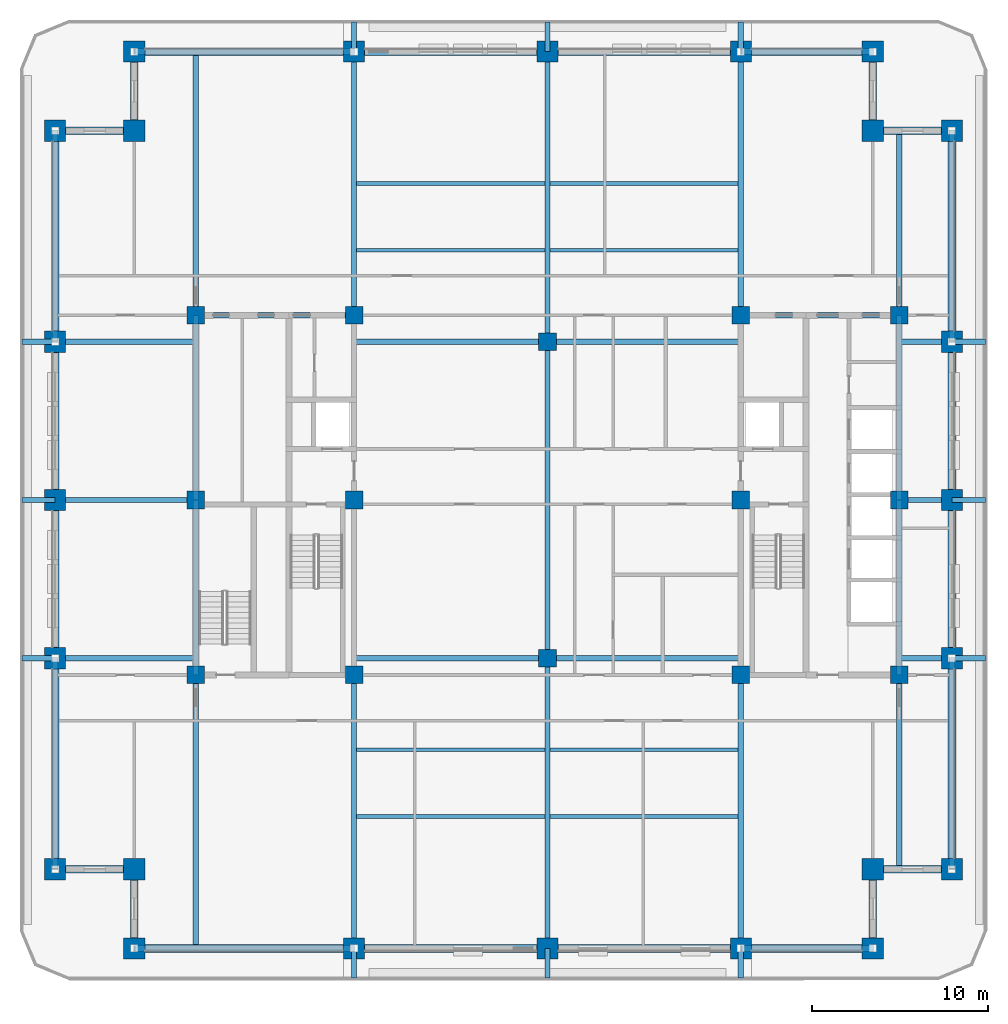
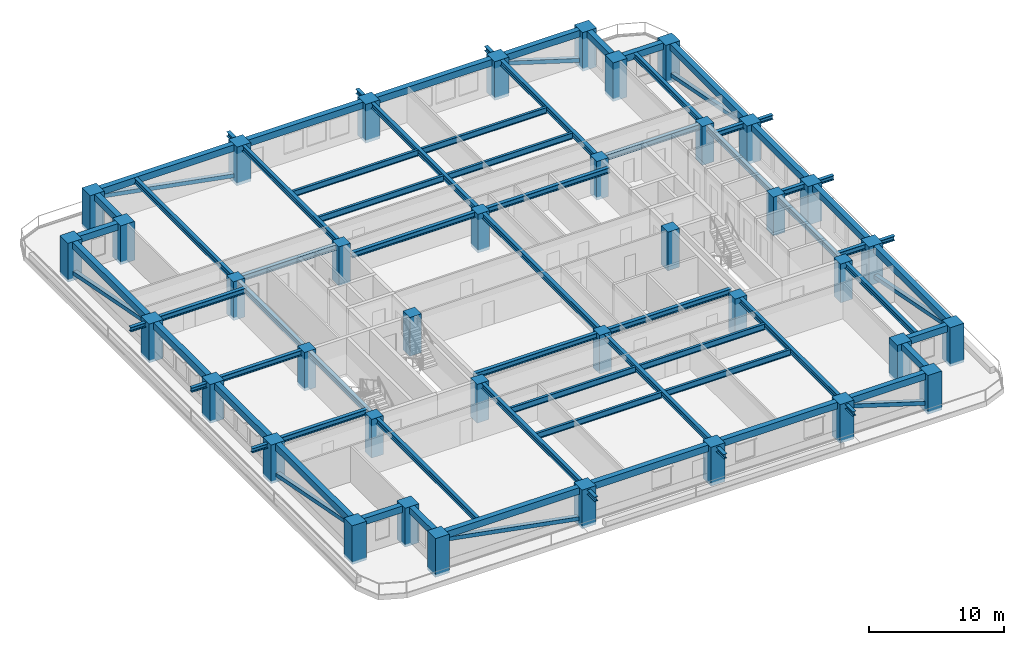
# One storey, part 1 of 15: 71 beams, 38 columns, 8 members.
"""IFC4 building model written with IfcOpenShell, lengths in metres."""

from ifc_helpers import new_model, si_unit, direction, frame, origin, origin_2d, place, context, subcontext, project, spatial, rectangle, hollow_rectangle, i_section, extrude, material, material_profile, profile_set, type_object, element, save


model = new_model("IFC4")

# Units and contexts
model_context = context("Model", 3, precision=1e-05, world=origin(), true_north=direction((0.0, 1.0)))
body_context = subcontext(model_context, "Body", "Model", "MODEL_VIEW")
ifc_project = project(units=[si_unit("LENGTHUNIT", "METRE"), si_unit("AREAUNIT", "SQUARE_METRE"), si_unit("VOLUMEUNIT", "CUBIC_METRE"), si_unit("PLANEANGLEUNIT", "RADIAN"), si_unit("MASSUNIT", "GRAM", prefix="KILO")], contexts=[model_context])

# Site, building, storey
site_placement = place(None, origin())
site = spatial("IfcSite", under=ifc_project, at=site_placement, CompositionType="ELEMENT")
building_placement = place(site_placement, origin())
building = spatial("IfcBuilding", under=site, at=building_placement, Name="Zulmaris Gate Convention Tower", CompositionType="ELEMENT")
storey_placement = place(building_placement, frame((0.0, 0.0, 139.199951171875)))
storey = spatial("IfcBuildingStorey", under=building, at=storey_placement, Name="L35", CompositionType="ELEMENT", Elevation=139.199951171875)

# Columns
ifc_material_1 = material(Name="Concrete C60/75", Category="concrete")
ifc_material_profile_1 = material_profile(ifc_material_1, rectangle(XDim=1.0, YDim=1.0, at=origin_2d()), Name="RC COL 1000x1000")
ifc_profile_set_1 = profile_set([ifc_material_profile_1], Name="Concrete C60/75")
column_type_1 = type_object("IfcColumnType", Name="COL-RC1000", PredefinedType="COLUMN", material=ifc_profile_set_1)
for number, where, z_axis, x_axis, name in (
    (1, (-20.0, -9.949951171875, -0.25), (0.0, 0.0, 1.0), (1.0, 0.0, 0.0), "L35 Column IN--20.00_-9.95"),
    (2, (-20.0, 10.5, -0.25), (0.0, 0.0, 1.0), (1.0, 0.0, 0.0), "L35 Column IN--20.00_+10.50"),
    (3, (-11.0, -9.949951171875, -0.25), (0.0, 0.0, 1.0), (1.0, 0.0, 0.0), "L35 Column IN--11.00_-9.95"),
    (4, (-11.0, 0.0, -0.25), (0.0, 0.0, 1.0), (1.0, 0.0, 0.0), "L35 Column IN--11.00_+0.00"),
    (5, (-11.0, 10.5, -0.25), (0.0, 0.0, 1.0), (1.0, 0.0, 0.0), "L35 Column IN--11.00_+10.50"),
    (6, (11.0, -9.949951171875, -0.25), (0.0, 0.0, 1.0), (1.0, 0.0, 0.0), "L35 Column IN-+11.00_-9.95"),
    (7, (11.0, 0.0, -0.25), (0.0, 0.0, 1.0), (1.0, 0.0, 0.0), "L35 Column IN-+11.00_+0.00"),
    (8, (11.0, 10.5, -0.25), (0.0, 0.0, 1.0), (1.0, 0.0, 0.0), "L35 Column IN-+11.00_+10.50"),
    (9, (20.0, -9.949951171875, -0.25), (0.0, 0.0, 1.0), (1.0, 0.0, 0.0), "L35 Column IN-+20.00_-9.95"),
    (10, (20.0, 10.5, -0.25), (0.0, 0.0, 1.0), (1.0, 0.0, 0.0), "L35 Column IN-+20.00_+10.50"),
    (11, (0.0, -9.0, -0.25), (0.0, 0.0, 1.0), (1.0, 0.0, 0.0), "L35 Column IN-+0.00_-9.00"),
    (12, (0.0, 9.0, -0.25), (0.0, 0.0, 1.0), (1.0, 0.0, 0.0), "L35 Column IN-+0.00_+9.00"),
    (13, (-20.0, 0.0, -0.25), (0.0, 0.0, 1.0), (1.0, 0.0, 0.0), "L35 Column IN--20.00_+0.00"),
    (14, (20.0, 0.0, -0.25), (0.0, 0.0, 1.0), (1.0, 0.0, 0.0), "L35 Column IN-+20.00_+0.00"),
):
    element("IfcColumn", number, at=place(storey_placement, frame(where, z_axis=z_axis, x_axis=x_axis)), inside=storey, type_object=column_type_1, Name=name, PredefinedType="COLUMN", context=body_context, shape_type="SweptSolid", body=[
        extrude(rectangle(XDim=1.0, YDim=1.0, at=origin_2d()), origin(), (0.0, 0.0, 1.0), 3.494873046875),
    ])
ifc_material_2 = material(Name="Concrete C70/85", Category="concrete")
ifc_material_profile_2 = material_profile(ifc_material_2, rectangle(XDim=1.199951171875, YDim=1.199951171875, at=origin_2d()), Name="RC COL 1200x1200")
ifc_profile_set_2 = profile_set([ifc_material_profile_2], Name="Concrete C70/85")
column_type_2 = type_object("IfcColumnType", Name="COL-RC1200", PredefinedType="COLUMN", material=ifc_profile_set_2)
for number, where, z_axis, x_axis, name in (
    (15, (-23.5, -25.5, -0.25), (0.0, 0.0, 1.0), (1.0, 0.0, 0.0), "L35 Column PT--23.50_-25.50"),
    (16, (-11.0, -25.5, -0.25), (0.0, 0.0, 1.0), (1.0, 0.0, 0.0), "L35 Column PT--11.00_-25.50"),
    (17, (0.0, -25.5, -0.25), (0.0, 0.0, 1.0), (1.0, 0.0, 0.0), "L35 Column PT-+0.00_-25.50"),
    (18, (11.0, -25.5, -0.25), (0.0, 0.0, 1.0), (1.0, 0.0, 0.0), "L35 Column PT-+11.00_-25.50"),
    (19, (18.5, -25.5, -0.25), (0.0, 0.0, 1.0), (1.0, 0.0, 0.0), "L35 Column PT-+18.50_-25.50"),
    (20, (-23.5, 25.5, -0.25), (0.0, 0.0, 1.0), (1.0, 0.0, 0.0), "L35 Column PT--23.50_+25.50"),
    (21, (-11.0, 25.5, -0.25), (0.0, 0.0, 1.0), (1.0, 0.0, 0.0), "L35 Column PT--11.00_+25.50"),
    (22, (0.0, 25.5, -0.25), (0.0, 0.0, 1.0), (1.0, 0.0, 0.0), "L35 Column PT-+0.00_+25.50"),
    (23, (11.0, 25.5, -0.25), (0.0, 0.0, 1.0), (1.0, 0.0, 0.0), "L35 Column PT-+11.00_+25.50"),
    (24, (18.5, 25.5, -0.25), (0.0, 0.0, 1.0), (1.0, 0.0, 0.0), "L35 Column PT-+18.50_+25.50"),
    (25, (-28.0, -21.0, -0.25), (0.0, 0.0, 1.0), (1.0, 0.0, 0.0), "L35 Column PT--28.00_-21.00"),
    (26, (-28.0, -9.0, -0.25), (0.0, 0.0, 1.0), (1.0, 0.0, 0.0), "L35 Column PT--28.00_-9.00"),
    (27, (-28.0, 0.0, -0.25), (0.0, 0.0, 1.0), (1.0, 0.0, 0.0), "L35 Column PT--28.00_+0.00"),
    (28, (-28.0, 9.0, -0.25), (0.0, 0.0, 1.0), (1.0, 0.0, 0.0), "L35 Column PT--28.00_+9.00"),
    (29, (-28.0, 21.0, -0.25), (0.0, 0.0, 1.0), (1.0, 0.0, 0.0), "L35 Column PT--28.00_+21.00"),
    (30, (23.0, -21.0, -0.25), (0.0, 0.0, 1.0), (1.0, 0.0, 0.0), "L35 Column PT-+23.00_-21.00"),
    (31, (23.0, -9.0, -0.25), (0.0, 0.0, 1.0), (1.0, 0.0, 0.0), "L35 Column PT-+23.00_-9.00"),
    (32, (23.0, 0.0, -0.25), (0.0, 0.0, 1.0), (1.0, 0.0, 0.0), "L35 Column PT-+23.00_+0.00"),
    (33, (23.0, 9.0, -0.25), (0.0, 0.0, 1.0), (1.0, 0.0, 0.0), "L35 Column PT-+23.00_+9.00"),
    (34, (23.0, 21.0, -0.25), (0.0, 0.0, 1.0), (1.0, 0.0, 0.0), "L35 Column PT-+23.00_+21.00"),
    (35, (-23.5, -21.0, -0.25), (0.0, 0.0, 1.0), (1.0, 0.0, 0.0), "L35 Column PT--23.50_-21.00"),
    (36, (18.5, -21.0, -0.25), (0.0, 0.0, 1.0), (1.0, 0.0, 0.0), "L35 Column PT-+18.50_-21.00"),
    (37, (18.5, 21.0, -0.25), (0.0, 0.0, 1.0), (1.0, 0.0, 0.0), "L35 Column PT-+18.50_+21.00"),
    (38, (-23.5, 21.0, -0.25), (0.0, 0.0, 1.0), (1.0, 0.0, 0.0), "L35 Column PT--23.50_+21.00"),
):
    element("IfcColumn", number, at=place(storey_placement, frame(where, z_axis=z_axis, x_axis=x_axis)), inside=storey, type_object=column_type_2, Name=name, PredefinedType="COLUMN", context=body_context, shape_type="SweptSolid", body=[
        extrude(rectangle(XDim=1.199951171875, YDim=1.199951171875, at=origin_2d()), origin(), (0.0, 0.0, 1.0), 3.494873046875),
    ])

# Beams
ifc_material_3 = material(Name="Steel S355", Category="steel")
ifc_material_profile_3 = material_profile(ifc_material_3, i_section(OverallWidth=0.300048828125, OverallDepth=0.39990234375, WebThickness=0.013427734375, FlangeThickness=0.02392578125, FilletRadius=0.027099609375, at=origin_2d()), Name="HEB 400")
ifc_profile_set_3 = profile_set([ifc_material_profile_3], Name="Steel S355")
beam_type_1 = type_object("IfcBeamType", Name="BM-HEB400", PredefinedType="BEAM", material=ifc_profile_set_3)
for number, where, z_axis, x_axis, name in (
    (39, (-11.0, -27.199951171875, 2.90478515625), (0.0, 1.0, 0.0), (-1.0, 0.0, 0.0), "L35 Beam TBRK-L35-S--11"),
    (40, (-11.0, 25.5, 2.90478515625), (0.0, 1.0, 0.0), (-1.0, 0.0, 0.0), "L35 Beam TBRK-L35-N--11"),
    (41, (0.0, -27.199951171875, 2.90478515625), (0.0, 1.0, 0.0), (-1.0, 0.0, 0.0), "L35 Beam TBRK-L35-S-+0"),
    (42, (0.0, 25.5, 2.90478515625), (0.0, 1.0, 0.0), (-1.0, 0.0, 0.0), "L35 Beam TBRK-L35-N-+0"),
    (43, (11.0, -27.199951171875, 2.90478515625), (0.0, 1.0, 0.0), (-1.0, 0.0, 0.0), "L35 Beam TBRK-L35-S-+11"),
    (44, (11.0, 25.5, 2.90478515625), (0.0, 1.0, 0.0), (-1.0, 0.0, 0.0), "L35 Beam TBRK-L35-N-+11"),
):
    element("IfcBeam", number, at=place(storey_placement, frame(where, z_axis=z_axis, x_axis=x_axis)), inside=storey, type_object=beam_type_1, Name=name, PredefinedType="BEAM", context=body_context, shape_type="SweptSolid", body=[
        extrude(i_section(OverallWidth=0.300048828125, OverallDepth=0.39990234375, WebThickness=0.013427734375, FlangeThickness=0.02392578125, FilletRadius=0.027099609375, at=origin_2d()), origin(), (0.0, 0.0, 1.0), 1.699951171875),
    ])
for number, where, z_axis, x_axis, name in (
    (45, (-29.89990234375, -9.0, 2.90478515625), (1.0, 0.0, 0.0), (0.0, 1.0, 0.0), "L35 Beam TBRK-L35-W--9"),
    (46, (23.0, -9.0, 2.90478515625), (1.0, 0.0, 0.0), (0.0, 1.0, 0.0), "L35 Beam TBRK-L35-E--9"),
    (47, (-29.89990234375, 0.0, 2.90478515625), (1.0, 0.0, 0.0), (0.0, 1.0, 0.0), "L35 Beam TBRK-L35-W-+0"),
    (48, (23.0, 0.0, 2.90478515625), (1.0, 0.0, 0.0), (0.0, 1.0, 0.0), "L35 Beam TBRK-L35-E-+0"),
    (49, (-29.89990234375, 9.0, 2.90478515625), (1.0, 0.0, 0.0), (0.0, 1.0, 0.0), "L35 Beam TBRK-L35-W-+9"),
    (50, (23.0, 9.0, 2.90478515625), (1.0, 0.0, 0.0), (0.0, 1.0, 0.0), "L35 Beam TBRK-L35-E-+9"),
):
    element("IfcBeam", number, at=place(storey_placement, frame(where, z_axis=z_axis, x_axis=x_axis)), inside=storey, type_object=beam_type_1, Name=name, PredefinedType="BEAM", context=body_context, shape_type="SweptSolid", body=[
        extrude(i_section(OverallWidth=0.300048828125, OverallDepth=0.39990234375, WebThickness=0.013427734375, FlangeThickness=0.02392578125, FilletRadius=0.027099609375, at=origin_2d()), origin(), (0.0, 0.0, 1.0), 1.89990234375),
    ])
ifc_material_profile_4 = material_profile(ifc_material_3, i_section(OverallWidth=0.300048828125, OverallDepth=0.5, WebThickness=0.014404296875, FlangeThickness=0.028076171875, FilletRadius=0.027099609375, at=origin_2d()), Name="HEB 500")
ifc_profile_set_4 = profile_set([ifc_material_profile_4], Name="Steel S355")
beam_type_2 = type_object("IfcBeamType", Name="BM-HEB500", PredefinedType="BEAM", material=ifc_profile_set_4)
for number, where, z_axis, x_axis, name in (
    (51, (-11.0, -9.0, 2.992919921875), (1.0, 0.0, 0.0), (0.0, 1.0, 0.0), "L35 Beam BM-L35-G01"),
    (52, (0.0, -9.0, 2.992919921875), (1.0, 0.0, 0.0), (0.0, 1.0, 0.0), "L35 Beam BM-L35-G02"),
    (53, (-11.0, 9.0, 2.992919921875), (1.0, 0.0, 0.0), (0.0, 1.0, 0.0), "L35 Beam BM-L35-G03"),
    (54, (0.0, 9.0, 2.992919921875), (1.0, 0.0, 0.0), (0.0, 1.0, 0.0), "L35 Beam BM-L35-G04"),
):
    element("IfcBeam", number, at=place(storey_placement, frame(where, z_axis=z_axis, x_axis=x_axis)), inside=storey, type_object=beam_type_2, Name=name, PredefinedType="BEAM", context=body_context, shape_type="SweptSolid", body=[
        extrude(i_section(OverallWidth=0.300048828125, OverallDepth=0.5, WebThickness=0.014404296875, FlangeThickness=0.028076171875, FilletRadius=0.027099609375, at=origin_2d()), origin(), (0.0, 0.0, 1.0), 11.0),
    ])
beam_1_placement = place(storey_placement, frame((0.0, -25.5, 2.992919921875), z_axis=(0.0, 1.0, 0.0), x_axis=(-1.0, 0.0, 0.0)))
element("IfcBeam", 55, at=beam_1_placement, inside=storey, type_object=beam_type_2, Name="L35 Beam BM-L35-G05", PredefinedType="BEAM", context=body_context, shape_type="SweptSolid", body=[
    extrude(i_section(OverallWidth=0.300048828125, OverallDepth=0.5, WebThickness=0.014404296875, FlangeThickness=0.028076171875, FilletRadius=0.027099609375, at=origin_2d()), origin(), (0.0, 0.0, 1.0), 16.5),
])
beam_2_placement = place(storey_placement, frame((0.0, -9.0, 2.992919921875), z_axis=(0.0, 1.0, 0.0), x_axis=(-1.0, 0.0, 0.0)))
element("IfcBeam", 56, at=beam_2_placement, inside=storey, type_object=beam_type_2, Name="L35 Beam BM-L35-G06", PredefinedType="BEAM", context=body_context, shape_type="SweptSolid", body=[
    extrude(i_section(OverallWidth=0.300048828125, OverallDepth=0.5, WebThickness=0.014404296875, FlangeThickness=0.028076171875, FilletRadius=0.027099609375, at=origin_2d()), origin(), (0.0, 0.0, 1.0), 18.0),
])
beam_3_placement = place(storey_placement, frame((0.0, 9.0, 2.992919921875), z_axis=(0.0, 1.0, 0.0), x_axis=(-1.0, 0.0, 0.0)))
element("IfcBeam", 57, at=beam_3_placement, inside=storey, type_object=beam_type_2, Name="L35 Beam BM-L35-G07", PredefinedType="BEAM", context=body_context, shape_type="SweptSolid", body=[
    extrude(i_section(OverallWidth=0.300048828125, OverallDepth=0.5, WebThickness=0.014404296875, FlangeThickness=0.028076171875, FilletRadius=0.027099609375, at=origin_2d()), origin(), (0.0, 0.0, 1.0), 16.5),
])
beam_4_placement = place(storey_placement, frame((-11.0, -25.5, 2.992919921875), z_axis=(0.0, 1.0, 0.0), x_axis=(-1.0, 0.0, 0.0)))
element("IfcBeam", 58, at=beam_4_placement, inside=storey, type_object=beam_type_2, Name="L35 Beam BM-L35-G08", PredefinedType="BEAM", context=body_context, shape_type="SweptSolid", body=[
    extrude(i_section(OverallWidth=0.300048828125, OverallDepth=0.5, WebThickness=0.014404296875, FlangeThickness=0.028076171875, FilletRadius=0.027099609375, at=origin_2d()), origin(), (0.0, 0.0, 1.0), 15.550048828125),
])
beam_5_placement = place(storey_placement, frame((-11.0, 10.5, 2.992919921875), z_axis=(0.0, 1.0, 0.0), x_axis=(-1.0, 0.0, 0.0)))
element("IfcBeam", 59, at=beam_5_placement, inside=storey, type_object=beam_type_2, Name="L35 Beam BM-L35-G09", PredefinedType="BEAM", context=body_context, shape_type="SweptSolid", body=[
    extrude(i_section(OverallWidth=0.300048828125, OverallDepth=0.5, WebThickness=0.014404296875, FlangeThickness=0.028076171875, FilletRadius=0.027099609375, at=origin_2d()), origin(), (0.0, 0.0, 1.0), 15.0),
])
beam_6_placement = place(storey_placement, frame((11.0, -25.5, 2.992919921875), z_axis=(0.0, 1.0, 0.0), x_axis=(-1.0, 0.0, 0.0)))
element("IfcBeam", 60, at=beam_6_placement, inside=storey, type_object=beam_type_2, Name="L35 Beam BM-L35-G10", PredefinedType="BEAM", context=body_context, shape_type="SweptSolid", body=[
    extrude(i_section(OverallWidth=0.300048828125, OverallDepth=0.5, WebThickness=0.014404296875, FlangeThickness=0.028076171875, FilletRadius=0.027099609375, at=origin_2d()), origin(), (0.0, 0.0, 1.0), 15.550048828125),
])
beam_7_placement = place(storey_placement, frame((11.0, 10.5, 2.992919921875), z_axis=(0.0, 1.0, 0.0), x_axis=(-1.0, 0.0, 0.0)))
element("IfcBeam", 61, at=beam_7_placement, inside=storey, type_object=beam_type_2, Name="L35 Beam BM-L35-G11", PredefinedType="BEAM", context=body_context, shape_type="SweptSolid", body=[
    extrude(i_section(OverallWidth=0.300048828125, OverallDepth=0.5, WebThickness=0.014404296875, FlangeThickness=0.028076171875, FilletRadius=0.027099609375, at=origin_2d()), origin(), (0.0, 0.0, 1.0), 15.0),
])
beam_8_placement = place(storey_placement, frame((-20.0, -25.5, 2.992919921875), z_axis=(0.0, 1.0, 0.0), x_axis=(-1.0, 0.0, 0.0)))
element("IfcBeam", 62, at=beam_8_placement, inside=storey, type_object=beam_type_2, Name="L35 Beam BM-L35-G12", PredefinedType="BEAM", context=body_context, shape_type="SweptSolid", body=[
    extrude(i_section(OverallWidth=0.300048828125, OverallDepth=0.5, WebThickness=0.014404296875, FlangeThickness=0.028076171875, FilletRadius=0.027099609375, at=origin_2d()), origin(), (0.0, 0.0, 1.0), 15.550048828125),
])
beam_9_placement = place(storey_placement, frame((-20.0, 10.5, 2.992919921875), z_axis=(0.0, 1.0, 0.0), x_axis=(-1.0, 0.0, 0.0)))
element("IfcBeam", 63, at=beam_9_placement, inside=storey, type_object=beam_type_2, Name="L35 Beam BM-L35-G13", PredefinedType="BEAM", context=body_context, shape_type="SweptSolid", body=[
    extrude(i_section(OverallWidth=0.300048828125, OverallDepth=0.5, WebThickness=0.014404296875, FlangeThickness=0.028076171875, FilletRadius=0.027099609375, at=origin_2d()), origin(), (0.0, 0.0, 1.0), 15.0),
])
beam_10_placement = place(storey_placement, frame((20.0, -21.0, 2.992919921875), z_axis=(0.0, 1.0, 0.0), x_axis=(-1.0, 0.0, 0.0)))
element("IfcBeam", 64, at=beam_10_placement, inside=storey, type_object=beam_type_2, Name="L35 Beam BM-L35-G14", PredefinedType="BEAM", context=body_context, shape_type="SweptSolid", body=[
    extrude(i_section(OverallWidth=0.300048828125, OverallDepth=0.5, WebThickness=0.014404296875, FlangeThickness=0.028076171875, FilletRadius=0.027099609375, at=origin_2d()), origin(), (0.0, 0.0, 1.0), 11.050048828125),
])
beam_11_placement = place(storey_placement, frame((20.0, 10.5, 2.992919921875), z_axis=(0.0, 1.0, 0.0), x_axis=(-1.0, 0.0, 0.0)))
element("IfcBeam", 65, at=beam_11_placement, inside=storey, type_object=beam_type_2, Name="L35 Beam BM-L35-G15", PredefinedType="BEAM", context=body_context, shape_type="SweptSolid", body=[
    extrude(i_section(OverallWidth=0.300048828125, OverallDepth=0.5, WebThickness=0.014404296875, FlangeThickness=0.028076171875, FilletRadius=0.027099609375, at=origin_2d()), origin(), (0.0, 0.0, 1.0), 10.5),
])
for number, where, z_axis, x_axis, name in (
    (66, (-28.0, -9.0, 2.992919921875), (1.0, 0.0, 0.0), (0.0, 1.0, 0.0), "L35 Beam BM-L35-G16"),
    (67, (-28.0, 0.0, 2.992919921875), (1.0, 0.0, 0.0), (0.0, 1.0, 0.0), "L35 Beam BM-L35-G17"),
    (68, (-28.0, 9.0, 2.992919921875), (1.0, 0.0, 0.0), (0.0, 1.0, 0.0), "L35 Beam BM-L35-G18"),
):
    element("IfcBeam", number, at=place(storey_placement, frame(where, z_axis=z_axis, x_axis=x_axis)), inside=storey, type_object=beam_type_2, Name=name, PredefinedType="BEAM", context=body_context, shape_type="SweptSolid", body=[
        extrude(i_section(OverallWidth=0.300048828125, OverallDepth=0.5, WebThickness=0.014404296875, FlangeThickness=0.028076171875, FilletRadius=0.027099609375, at=origin_2d()), origin(), (0.0, 0.0, 1.0), 8.0),
    ])
for number, where, z_axis, x_axis, name in (
    (69, (20.0, -9.0, 2.992919921875), (1.0, 0.0, 0.0), (0.0, 1.0, 0.0), "L35 Beam BM-L35-G19"),
    (70, (20.0, 0.0, 2.992919921875), (1.0, 0.0, 0.0), (0.0, 1.0, 0.0), "L35 Beam BM-L35-G20"),
    (71, (20.0, 9.0, 2.992919921875), (1.0, 0.0, 0.0), (0.0, 1.0, 0.0), "L35 Beam BM-L35-G21"),
):
    element("IfcBeam", number, at=place(storey_placement, frame(where, z_axis=z_axis, x_axis=x_axis)), inside=storey, type_object=beam_type_2, Name=name, PredefinedType="BEAM", context=body_context, shape_type="SweptSolid", body=[
        extrude(i_section(OverallWidth=0.300048828125, OverallDepth=0.5, WebThickness=0.014404296875, FlangeThickness=0.028076171875, FilletRadius=0.027099609375, at=origin_2d()), origin(), (0.0, 0.0, 1.0), 3.0),
    ])
for number, where, z_axis, x_axis, name in (
    (72, (-20.0, 10.5, 2.992919921875), (1.0, 0.0, 0.0), (0.0, 1.0, 0.0), "L35 Beam BM-L35-G23"),
    (73, (11.0, 10.5, 2.992919921875), (1.0, 0.0, 0.0), (0.0, 1.0, 0.0), "L35 Beam BM-L35-G25"),
):
    element("IfcBeam", number, at=place(storey_placement, frame(where, z_axis=z_axis, x_axis=x_axis)), inside=storey, type_object=beam_type_2, Name=name, PredefinedType="BEAM", context=body_context, shape_type="SweptSolid", body=[
        extrude(i_section(OverallWidth=0.300048828125, OverallDepth=0.5, WebThickness=0.014404296875, FlangeThickness=0.028076171875, FilletRadius=0.027099609375, at=origin_2d()), origin(), (0.0, 0.0, 1.0), 9.0),
    ])
beam_12_placement = place(storey_placement, frame((-20.0, -9.949951171875, 2.992919921875), z_axis=(0.0, 1.0, 0.0), x_axis=(-1.0, 0.0, 0.0)))
element("IfcBeam", 74, at=beam_12_placement, inside=storey, type_object=beam_type_2, Name="L35 Beam BM-L35-G26", PredefinedType="BEAM", context=body_context, shape_type="SweptSolid", body=[
    extrude(i_section(OverallWidth=0.300048828125, OverallDepth=0.5, WebThickness=0.014404296875, FlangeThickness=0.028076171875, FilletRadius=0.027099609375, at=origin_2d()), origin(), (0.0, 0.0, 1.0), 9.949951171875),
])
beam_13_placement = place(storey_placement, frame((-20.0, 0.0, 2.992919921875), z_axis=(0.0, 1.0, 0.0), x_axis=(-1.0, 0.0, 0.0)))
element("IfcBeam", 75, at=beam_13_placement, inside=storey, type_object=beam_type_2, Name="L35 Beam BM-L35-G27", PredefinedType="BEAM", context=body_context, shape_type="SweptSolid", body=[
    extrude(i_section(OverallWidth=0.300048828125, OverallDepth=0.5, WebThickness=0.014404296875, FlangeThickness=0.028076171875, FilletRadius=0.027099609375, at=origin_2d()), origin(), (0.0, 0.0, 1.0), 10.5),
])
beam_14_placement = place(storey_placement, frame((20.0, -9.949951171875, 2.992919921875), z_axis=(0.0, 1.0, 0.0), x_axis=(-1.0, 0.0, 0.0)))
element("IfcBeam", 76, at=beam_14_placement, inside=storey, type_object=beam_type_2, Name="L35 Beam BM-L35-G28", PredefinedType="BEAM", context=body_context, shape_type="SweptSolid", body=[
    extrude(i_section(OverallWidth=0.300048828125, OverallDepth=0.5, WebThickness=0.014404296875, FlangeThickness=0.028076171875, FilletRadius=0.027099609375, at=origin_2d()), origin(), (0.0, 0.0, 1.0), 9.949951171875),
])
beam_15_placement = place(storey_placement, frame((20.0, 0.0, 2.992919921875), z_axis=(0.0, 1.0, 0.0), x_axis=(-1.0, 0.0, 0.0)))
element("IfcBeam", 77, at=beam_15_placement, inside=storey, type_object=beam_type_2, Name="L35 Beam BM-L35-G29", PredefinedType="BEAM", context=body_context, shape_type="SweptSolid", body=[
    extrude(i_section(OverallWidth=0.300048828125, OverallDepth=0.5, WebThickness=0.014404296875, FlangeThickness=0.028076171875, FilletRadius=0.027099609375, at=origin_2d()), origin(), (0.0, 0.0, 1.0), 10.5),
])
ifc_material_4 = material(Name="Precast concrete C50/60", Category="concrete")
ifc_material_profile_5 = material_profile(ifc_material_4, rectangle(XDim=0.449951171875, YDim=0.60009765625, at=origin_2d()), Name="RC SPANDREL 450x600")
ifc_profile_set_5 = profile_set([ifc_material_profile_5], Name="Precast concrete C50/60")
beam_type_3 = type_object("IfcBeamType", Name="BM-SP450x600", PredefinedType="SPANDREL", material=ifc_profile_set_5)
beam_16_placement = place(storey_placement, frame((-23.5, -25.5, 2.94482421875), z_axis=(1.0, 0.0, 0.0), x_axis=(0.0, 1.0, 0.0)))
element("IfcBeam", 78, at=beam_16_placement, inside=storey, type_object=beam_type_3, Name="L35 Spandrel SP-L35-01", PredefinedType="SPANDREL", context=body_context, shape_type="SweptSolid", body=[
    extrude(rectangle(XDim=0.449951171875, YDim=0.60009765625, at=origin_2d()), origin(), (0.0, 0.0, 1.0), 12.5),
])
for number, where, z_axis, x_axis, name in (
    (79, (-11.0, -25.5, 2.94482421875), (1.0, 0.0, 0.0), (0.0, 1.0, 0.0), "L35 Spandrel SP-L35-02"),
    (80, (0.0, -25.5, 2.94482421875), (1.0, 0.0, 0.0), (0.0, 1.0, 0.0), "L35 Spandrel SP-L35-03"),
):
    element("IfcBeam", number, at=place(storey_placement, frame(where, z_axis=z_axis, x_axis=x_axis)), inside=storey, type_object=beam_type_3, Name=name, PredefinedType="SPANDREL", context=body_context, shape_type="SweptSolid", body=[
        extrude(rectangle(XDim=0.449951171875, YDim=0.60009765625, at=origin_2d()), origin(), (0.0, 0.0, 1.0), 11.0),
    ])
beam_17_placement = place(storey_placement, frame((11.0, -25.5, 2.94482421875), z_axis=(1.0, 0.0, 0.0), x_axis=(0.0, 1.0, 0.0)))
element("IfcBeam", 81, at=beam_17_placement, inside=storey, type_object=beam_type_3, Name="L35 Spandrel SP-L35-04", PredefinedType="SPANDREL", context=body_context, shape_type="SweptSolid", body=[
    extrude(rectangle(XDim=0.449951171875, YDim=0.60009765625, at=origin_2d()), origin(), (0.0, 0.0, 1.0), 7.5),
])
for number, where, z_axis, x_axis, name in (
    (82, (18.5, -25.5, 2.94482421875), (0.0, 1.0, 0.0), (-1.0, 0.0, 0.0), "L35 Spandrel SP-L35-05"),
    (83, (18.5, -21.0, 2.94482421875), (1.0, 0.0, 0.0), (0.0, 1.0, 0.0), "L35 Spandrel SP-L35-06"),
):
    element("IfcBeam", number, at=place(storey_placement, frame(where, z_axis=z_axis, x_axis=x_axis)), inside=storey, type_object=beam_type_3, Name=name, PredefinedType="SPANDREL", context=body_context, shape_type="SweptSolid", body=[
        extrude(rectangle(XDim=0.449951171875, YDim=0.60009765625, at=origin_2d()), origin(), (0.0, 0.0, 1.0), 4.5),
    ])
beam_18_placement = place(storey_placement, frame((23.0, -21.0, 2.94482421875), z_axis=(0.0, 1.0, 0.0), x_axis=(-1.0, 0.0, 0.0)))
element("IfcBeam", 84, at=beam_18_placement, inside=storey, type_object=beam_type_3, Name="L35 Spandrel SP-L35-07", PredefinedType="SPANDREL", context=body_context, shape_type="SweptSolid", body=[
    extrude(rectangle(XDim=0.449951171875, YDim=0.60009765625, at=origin_2d()), origin(), (0.0, 0.0, 1.0), 12.0),
])
for number, where, z_axis, x_axis, name in (
    (85, (23.0, -9.0, 2.94482421875), (0.0, 1.0, 0.0), (-1.0, 0.0, 0.0), "L35 Spandrel SP-L35-08"),
    (86, (23.0, 0.0, 2.94482421875), (0.0, 1.0, 0.0), (-1.0, 0.0, 0.0), "L35 Spandrel SP-L35-09"),
):
    element("IfcBeam", number, at=place(storey_placement, frame(where, z_axis=z_axis, x_axis=x_axis)), inside=storey, type_object=beam_type_3, Name=name, PredefinedType="SPANDREL", context=body_context, shape_type="SweptSolid", body=[
        extrude(rectangle(XDim=0.449951171875, YDim=0.60009765625, at=origin_2d()), origin(), (0.0, 0.0, 1.0), 9.0),
    ])
beam_19_placement = place(storey_placement, frame((23.0, 9.0, 2.94482421875), z_axis=(0.0, 1.0, 0.0), x_axis=(-1.0, 0.0, 0.0)))
element("IfcBeam", 87, at=beam_19_placement, inside=storey, type_object=beam_type_3, Name="L35 Spandrel SP-L35-10", PredefinedType="SPANDREL", context=body_context, shape_type="SweptSolid", body=[
    extrude(rectangle(XDim=0.449951171875, YDim=0.60009765625, at=origin_2d()), origin(), (0.0, 0.0, 1.0), 12.0),
])
for number, where, z_axis, x_axis, name in (
    (88, (23.0, 21.0, 2.94482421875), (-1.0, 0.0, 0.0), (0.0, -1.0, 0.0), "L35 Spandrel SP-L35-11"),
    (89, (18.5, 21.0, 2.94482421875), (0.0, 1.0, 0.0), (-1.0, 0.0, 0.0), "L35 Spandrel SP-L35-12"),
):
    element("IfcBeam", number, at=place(storey_placement, frame(where, z_axis=z_axis, x_axis=x_axis)), inside=storey, type_object=beam_type_3, Name=name, PredefinedType="SPANDREL", context=body_context, shape_type="SweptSolid", body=[
        extrude(rectangle(XDim=0.449951171875, YDim=0.60009765625, at=origin_2d()), origin(), (0.0, 0.0, 1.0), 4.5),
    ])
beam_20_placement = place(storey_placement, frame((18.5, 25.5, 2.94482421875), z_axis=(-1.0, 0.0, 0.0), x_axis=(0.0, -1.0, 0.0)))
element("IfcBeam", 90, at=beam_20_placement, inside=storey, type_object=beam_type_3, Name="L35 Spandrel SP-L35-13", PredefinedType="SPANDREL", context=body_context, shape_type="SweptSolid", body=[
    extrude(rectangle(XDim=0.449951171875, YDim=0.60009765625, at=origin_2d()), origin(), (0.0, 0.0, 1.0), 7.5),
])
for number, where, z_axis, x_axis, name in (
    (91, (11.0, 25.5, 2.94482421875), (-1.0, 0.0, 0.0), (0.0, -1.0, 0.0), "L35 Spandrel SP-L35-14"),
    (92, (0.0, 25.5, 2.94482421875), (-1.0, 0.0, 0.0), (0.0, -1.0, 0.0), "L35 Spandrel SP-L35-15"),
):
    element("IfcBeam", number, at=place(storey_placement, frame(where, z_axis=z_axis, x_axis=x_axis)), inside=storey, type_object=beam_type_3, Name=name, PredefinedType="SPANDREL", context=body_context, shape_type="SweptSolid", body=[
        extrude(rectangle(XDim=0.449951171875, YDim=0.60009765625, at=origin_2d()), origin(), (0.0, 0.0, 1.0), 11.0),
    ])
beam_21_placement = place(storey_placement, frame((-11.0, 25.5, 2.94482421875), z_axis=(-1.0, 0.0, 0.0), x_axis=(0.0, -1.0, 0.0)))
element("IfcBeam", 93, at=beam_21_placement, inside=storey, type_object=beam_type_3, Name="L35 Spandrel SP-L35-16", PredefinedType="SPANDREL", context=body_context, shape_type="SweptSolid", body=[
    extrude(rectangle(XDim=0.449951171875, YDim=0.60009765625, at=origin_2d()), origin(), (0.0, 0.0, 1.0), 12.5),
])
for number, where, z_axis, x_axis, name in (
    (94, (-23.5, 25.5, 2.94482421875), (0.0, -1.0, 0.0), (1.0, 0.0, 0.0), "L35 Spandrel SP-L35-17"),
    (95, (-23.5, 21.0, 2.94482421875), (-1.0, 0.0, 0.0), (0.0, -1.0, 0.0), "L35 Spandrel SP-L35-18"),
):
    element("IfcBeam", number, at=place(storey_placement, frame(where, z_axis=z_axis, x_axis=x_axis)), inside=storey, type_object=beam_type_3, Name=name, PredefinedType="SPANDREL", context=body_context, shape_type="SweptSolid", body=[
        extrude(rectangle(XDim=0.449951171875, YDim=0.60009765625, at=origin_2d()), origin(), (0.0, 0.0, 1.0), 4.5),
    ])
beam_22_placement = place(storey_placement, frame((-28.0, 21.0, 2.94482421875), z_axis=(0.0, -1.0, 0.0), x_axis=(1.0, 0.0, 0.0)))
element("IfcBeam", 96, at=beam_22_placement, inside=storey, type_object=beam_type_3, Name="L35 Spandrel SP-L35-19", PredefinedType="SPANDREL", context=body_context, shape_type="SweptSolid", body=[
    extrude(rectangle(XDim=0.449951171875, YDim=0.60009765625, at=origin_2d()), origin(), (0.0, 0.0, 1.0), 12.0),
])
for number, where, z_axis, x_axis, name in (
    (97, (-28.0, 9.0, 2.94482421875), (0.0, -1.0, 0.0), (1.0, 0.0, 0.0), "L35 Spandrel SP-L35-20"),
    (98, (-28.0, 0.0, 2.94482421875), (0.0, -1.0, 0.0), (1.0, 0.0, 0.0), "L35 Spandrel SP-L35-21"),
):
    element("IfcBeam", number, at=place(storey_placement, frame(where, z_axis=z_axis, x_axis=x_axis)), inside=storey, type_object=beam_type_3, Name=name, PredefinedType="SPANDREL", context=body_context, shape_type="SweptSolid", body=[
        extrude(rectangle(XDim=0.449951171875, YDim=0.60009765625, at=origin_2d()), origin(), (0.0, 0.0, 1.0), 9.0),
    ])
beam_23_placement = place(storey_placement, frame((-28.0, -9.0, 2.94482421875), z_axis=(0.0, -1.0, 0.0), x_axis=(1.0, 0.0, 0.0)))
element("IfcBeam", 99, at=beam_23_placement, inside=storey, type_object=beam_type_3, Name="L35 Spandrel SP-L35-22", PredefinedType="SPANDREL", context=body_context, shape_type="SweptSolid", body=[
    extrude(rectangle(XDim=0.449951171875, YDim=0.60009765625, at=origin_2d()), origin(), (0.0, 0.0, 1.0), 12.0),
])
for number, where, z_axis, x_axis, name in (
    (100, (-28.0, -21.0, 2.94482421875), (1.0, 0.0, 0.0), (0.0, 1.0, 0.0), "L35 Spandrel SP-L35-23"),
    (101, (-23.5, -21.0, 2.94482421875), (0.0, -1.0, 0.0), (1.0, 0.0, 0.0), "L35 Spandrel SP-L35-24"),
):
    element("IfcBeam", number, at=place(storey_placement, frame(where, z_axis=z_axis, x_axis=x_axis)), inside=storey, type_object=beam_type_3, Name=name, PredefinedType="SPANDREL", context=body_context, shape_type="SweptSolid", body=[
        extrude(rectangle(XDim=0.449951171875, YDim=0.60009765625, at=origin_2d()), origin(), (0.0, 0.0, 1.0), 4.5),
    ])

# Members
ifc_material_5 = material(Name="Steel S460", Category="steel")
ifc_material_profile_6 = material_profile(ifc_material_5, hollow_rectangle(XDim=0.35009765625, YDim=0.35009765625, WallThickness=0.01611328125, at=origin_2d()), Name="SHS 350x350x16")
ifc_profile_set_6 = profile_set([ifc_material_profile_6], Name="Steel S460")
member_type = type_object("IfcMemberType", Name="BR-SHS350", PredefinedType="BRACE", material=ifc_profile_set_6)
for number, where, z_axis, x_axis, name in (
    (102, (-28.0, -9.0, 0.300048828125), (0.0, -0.98174738151, 0.190189586726), (1.0, 0.0, 0.0), "L35 Perimeter Tube Diagonal SW-W"),
    (103, (-28.0, 21.0, 0.300048828125), (0.0, -0.98174738151, 0.190189586726), (1.0, 0.0, 0.0), "L35 Perimeter Tube Diagonal NW-W"),
    (104, (23.0, -9.0, 0.300048828125), (0.0, -0.98174738151, 0.190189586726), (1.0, 0.0, 0.0), "L35 Perimeter Tube Diagonal SE-E"),
    (105, (23.0, 21.0, 0.300048828125), (0.0, -0.98174738151, 0.190189586726), (1.0, 0.0, 0.0), "L35 Perimeter Tube Diagonal NE-E"),
):
    element("IfcMember", number, at=place(storey_placement, frame(where, z_axis=z_axis, x_axis=x_axis)), inside=storey, type_object=member_type, Name=name, PredefinedType="BRACE", context=body_context, shape_type="SweptSolid", body=[
        extrude(hollow_rectangle(XDim=0.35009765625, YDim=0.35009765625, WallThickness=0.01611328125, at=origin_2d()), origin(), (0.0, 0.0, 1.0), 12.22314453125),
    ])
member_1_placement = place(storey_placement, frame((-11.0, -25.5, 0.300048828125), z_axis=(-0.983142413606, 0.0, 0.18284144653), x_axis=(0.0, -1.0, 0.0)))
element("IfcMember", 106, at=member_1_placement, inside=storey, type_object=member_type, Name="L35 Perimeter Tube Diagonal SW-S", PredefinedType="BRACE", context=body_context, shape_type="SweptSolid", body=[
    extrude(hollow_rectangle(XDim=0.35009765625, YDim=0.35009765625, WallThickness=0.01611328125, at=origin_2d()), origin(), (0.0, 0.0, 1.0), 12.71435546875),
])
member_2_placement = place(storey_placement, frame((18.5, -25.5, 0.300048828125), z_axis=(-0.955167877968, 0.0, 0.296064730925), x_axis=(0.0, -1.0, 0.0)))
element("IfcMember", 107, at=member_2_placement, inside=storey, type_object=member_type, Name="L35 Perimeter Tube Diagonal SE-S", PredefinedType="BRACE", context=body_context, shape_type="SweptSolid", body=[
    extrude(hollow_rectangle(XDim=0.35009765625, YDim=0.35009765625, WallThickness=0.01611328125, at=origin_2d()), origin(), (0.0, 0.0, 1.0), 7.85205078125),
])
member_3_placement = place(storey_placement, frame((-11.0, 25.5, 0.300048828125), z_axis=(-0.983142413606, 0.0, 0.18284144653), x_axis=(0.0, -1.0, 0.0)))
element("IfcMember", 108, at=member_3_placement, inside=storey, type_object=member_type, Name="L35 Perimeter Tube Diagonal NW-N", PredefinedType="BRACE", context=body_context, shape_type="SweptSolid", body=[
    extrude(hollow_rectangle(XDim=0.35009765625, YDim=0.35009765625, WallThickness=0.01611328125, at=origin_2d()), origin(), (0.0, 0.0, 1.0), 12.71435546875),
])
member_4_placement = place(storey_placement, frame((18.5, 25.5, 0.300048828125), z_axis=(-0.955167877968, 0.0, 0.296064730925), x_axis=(0.0, -1.0, 0.0)))
element("IfcMember", 109, at=member_4_placement, inside=storey, type_object=member_type, Name="L35 Perimeter Tube Diagonal NE-N", PredefinedType="BRACE", context=body_context, shape_type="SweptSolid", body=[
    extrude(hollow_rectangle(XDim=0.35009765625, YDim=0.35009765625, WallThickness=0.01611328125, at=origin_2d()), origin(), (0.0, 0.0, 1.0), 7.85205078125),
])

# Beams
ifc_material_profile_7 = material_profile(ifc_material_3, i_section(OverallWidth=0.2099609375, OverallDepth=0.550048828125, WebThickness=0.010986328125, FlangeThickness=0.01708984375, FilletRadius=0.02392578125, at=origin_2d()), Name="IPE 550")
ifc_profile_set_7 = profile_set([ifc_material_profile_7], Name="Steel S355")
beam_type_4 = type_object("IfcBeamType", Name="JT-IPE550", PredefinedType="JOIST", material=ifc_profile_set_7)
for number, where, z_axis, x_axis, name in (
    (110, (-10.85009765625, -18.0, 2.9677734375), (1.0, 0.0, 0.0), (0.0, 1.0, 0.0), "L35 Joist JT-L35-CW--18.0"),
    (111, (0.14990234375, -18.0, 2.9677734375), (1.0, 0.0, 0.0), (0.0, 1.0, 0.0), "L35 Joist JT-L35-CE--18.0"),
    (112, (-10.85009765625, -14.199951171875, 2.9677734375), (1.0, 0.0, 0.0), (0.0, 1.0, 0.0), "L35 Joist JT-L35-CW--14.2"),
    (113, (0.14990234375, -14.199951171875, 2.9677734375), (1.0, 0.0, 0.0), (0.0, 1.0, 0.0), "L35 Joist JT-L35-CE--14.2"),
    (114, (-10.85009765625, 14.199951171875, 2.9677734375), (1.0, 0.0, 0.0), (0.0, 1.0, 0.0), "L35 Joist JT-L35-CW-+14.2"),
    (115, (0.14990234375, 14.199951171875, 2.9677734375), (1.0, 0.0, 0.0), (0.0, 1.0, 0.0), "L35 Joist JT-L35-CE-+14.2"),
    (116, (-10.85009765625, 18.0, 2.9677734375), (1.0, 0.0, 0.0), (0.0, 1.0, 0.0), "L35 Joist JT-L35-CW-+18.0"),
    (117, (0.14990234375, 18.0, 2.9677734375), (1.0, 0.0, 0.0), (0.0, 1.0, 0.0), "L35 Joist JT-L35-CE-+18.0"),
):
    element("IfcBeam", number, at=place(storey_placement, frame(where, z_axis=z_axis, x_axis=x_axis)), inside=storey, type_object=beam_type_4, Name=name, PredefinedType="JOIST", context=body_context, shape_type="SweptSolid", body=[
        extrude(i_section(OverallWidth=0.2099609375, OverallDepth=0.550048828125, WebThickness=0.010986328125, FlangeThickness=0.01708984375, FilletRadius=0.02392578125, at=origin_2d()), origin(), (0.0, 0.0, 1.0), 10.7001953125),
    ])

save(model, "model.ifc")
